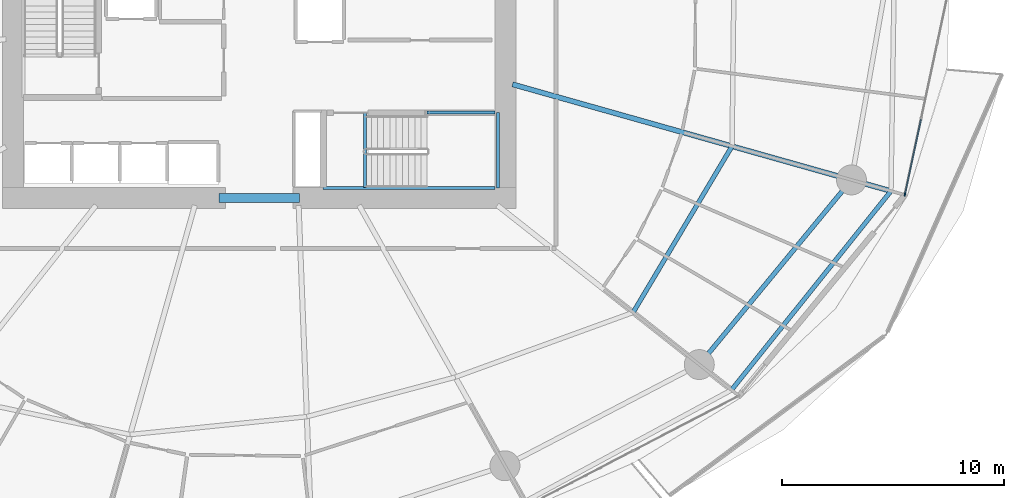
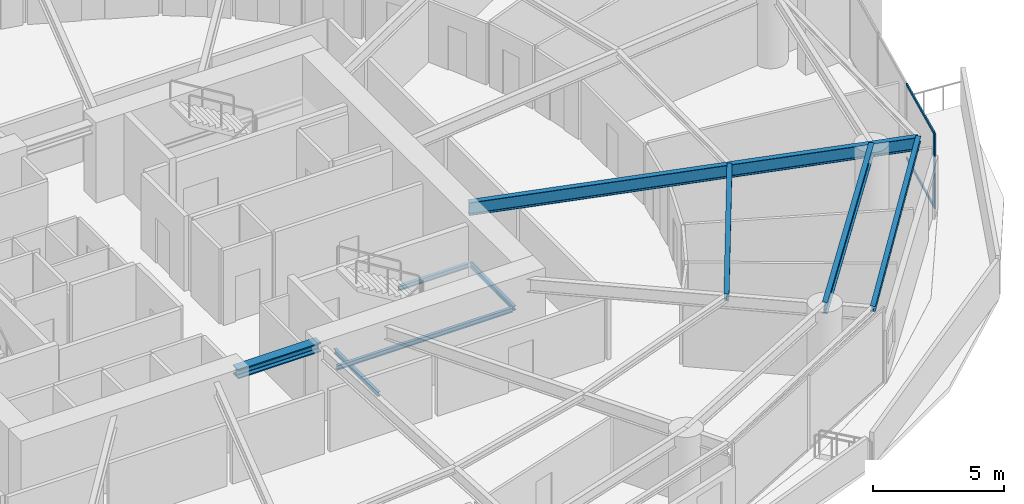
# One storey, part 10 of 31: 9 beams, 3 members, 1 element without a shape of its own.
"""IFC4 building model written with IfcOpenShell, lengths in metres."""

from ifc_helpers import new_model, si_unit, direction, frame, origin, origin_2d, place, context, subcontext, project, spatial, rectangle, i_section, extrude, material, layer, layer_set, material_profile, profile_set, type_object, element, aggregate, save


model = new_model("IFC4")

# Units and contexts
model_context = context("Model", 3, precision=1e-05, world=origin(), true_north=direction((0.0, 1.0)))
body_context = subcontext(model_context, "Body", "Model", "MODEL_VIEW")
ifc_project = project(units=[si_unit("LENGTHUNIT", "METRE"), si_unit("AREAUNIT", "SQUARE_METRE"), si_unit("VOLUMEUNIT", "CUBIC_METRE"), si_unit("PLANEANGLEUNIT", "RADIAN"), si_unit("MASSUNIT", "GRAM", prefix="KILO")], contexts=[model_context])

# Site, building, storey
site_placement = place(None, origin())
site = spatial("IfcSite", under=ifc_project, at=site_placement, CompositionType="ELEMENT")
building_placement = place(site_placement, origin())
building = spatial("IfcBuilding", under=site, at=building_placement, Name="Kazma Halo Residences", CompositionType="ELEMENT")
storey_placement = place(building_placement, frame((0.0, 0.0, 30.14990234375)))
storey = spatial("IfcBuildingStorey", under=building, at=storey_placement, Name="L06", CompositionType="ELEMENT", Elevation=30.14990234375)

# Beams
ifc_material_1 = material(Name="Steel S355", Category="steel")
ifc_material_profile_1 = material_profile(ifc_material_1, i_section(OverallWidth=0.201904296875, OverallDepth=0.2470703125, WebThickness=0.00732421875, FlangeThickness=0.010986328125, FilletRadius=0.011962890625, at=origin_2d()), Name="W250x49.1")
ifc_profile_set_1 = profile_set([ifc_material_profile_1], Name="Steel S355")
beam_type_1 = type_object("IfcBeamType", Name="BM-BAL-CANT", PredefinedType="BEAM", material=ifc_profile_set_1)
beam_1_placement = place(storey_placement, frame((69.728515625, 24.87060546875, 3.376708984375), z_axis=(0.625476617708, 0.780242911343, 0.0), x_axis=(-0.780242911343, 0.625476617708, 0.0)))
element("IfcBeam", 1, at=beam_1_placement, inside=storey, type_object=beam_type_1, Name="L06 wave-balcony tie beam 14", PredefinedType="BEAM", context=body_context, shape_type="SweptSolid", body=[
    extrude(i_section(OverallWidth=0.201904296875, OverallDepth=0.2470703125, WebThickness=0.00732421875, FlangeThickness=0.010986328125, FilletRadius=0.011962890625, at=origin_2d()), origin(), (0.0, 0.0, 1.0), 11.499755859375),
])
ifc_material_profile_2 = material_profile(ifc_material_1, i_section(OverallWidth=0.408935546875, OverallDepth=0.425048828125, WebThickness=0.03271484375, FlangeThickness=0.052490234375, FilletRadius=0.02001953125, at=origin_2d()), Name="W360x421")
ifc_profile_set_2 = profile_set([ifc_material_profile_2], Name="Steel S355")
beam_type_2 = type_object("IfcBeamType", Name="BM-CORE-W360H", PredefinedType="BEAM", material=ifc_profile_set_2)
beam_2_placement = place(storey_placement, frame((46.60009765625, 33.52490234375, 3.28759765625), z_axis=(1.0, 0.0, 0.0), x_axis=(0.0, 1.0, 0.0)))
element("IfcBeam", 2, at=beam_2_placement, inside=storey, type_object=beam_type_2, Name="L06 core coupling beam S", PredefinedType="BEAM", context=body_context, shape_type="SweptSolid", body=[
    extrude(i_section(OverallWidth=0.408935546875, OverallDepth=0.425048828125, WebThickness=0.03271484375, FlangeThickness=0.052490234375, FilletRadius=0.02001953125, at=origin_2d()), origin(), (0.0, 0.0, 1.0), 3.64990234375),
])
ifc_material_profile_3 = material_profile(ifc_material_1, i_section(OverallWidth=0.22802734375, OverallDepth=0.60791015625, WebThickness=0.01123046875, FlangeThickness=0.017333984375, FilletRadius=0.01806640625, at=origin_2d()), Name="W610x113")
ifc_profile_set_3 = profile_set([ifc_material_profile_3], Name="Steel S355")
beam_type_3 = type_object("IfcBeamType", Name="BM-RAD-W610", PredefinedType="BEAM", material=ifc_profile_set_3)
beam_3_placement = place(storey_placement, frame((59.85009765625, 38.657958984375, 3.196044921875), z_axis=(0.962453825278, -0.271445453468, 0.0), x_axis=(0.271445453468, 0.962453825278, 0.0)))
element("IfcBeam", 3, at=beam_3_placement, inside=storey, type_object=beam_type_3, Name="L06 radial floor beam 15", PredefinedType="BEAM", context=body_context, shape_type="SweptSolid", body=[
    extrude(i_section(OverallWidth=0.22802734375, OverallDepth=0.60791015625, WebThickness=0.01123046875, FlangeThickness=0.017333984375, FilletRadius=0.01806640625, at=origin_2d()), origin(), (0.0, 0.0, 1.0), 17.7373046875),
])
ifc_material_profile_4 = material_profile(ifc_material_1, i_section(OverallWidth=0.202880859375, OverallDepth=0.302978515625, WebThickness=0.007568359375, FlangeThickness=0.01318359375, FilletRadius=0.013916015625, at=origin_2d()), Name="W310x60")
ifc_profile_set_4 = profile_set([ifc_material_profile_4], Name="Steel S355")
beam_type_4 = type_object("IfcBeamType", Name="BM-SEC-W310A", PredefinedType="JOIST", material=ifc_profile_set_4)
beam_4_placement = place(storey_placement, frame((65.291015625, 28.368896484375, 3.3486328125), z_axis=(0.511331320511, 0.859383663252, 0.0), x_axis=(-0.859383663252, 0.511331320511, 0.0)))
element("IfcBeam", 4, at=beam_4_placement, inside=storey, type_object=beam_type_4, Name="L06 circumferential floor joist 14", PredefinedType="JOIST", context=body_context, shape_type="SweptSolid", body=[
    extrude(i_section(OverallWidth=0.202880859375, OverallDepth=0.302978515625, WebThickness=0.007568359375, FlangeThickness=0.01318359375, FilletRadius=0.013916015625, at=origin_2d()), origin(), (0.0, 0.0, 1.0), 8.72314453125),
])
ifc_material_profile_5 = material_profile(ifc_material_1, i_section(OverallWidth=0.208984375, OverallDepth=0.532958984375, WebThickness=0.01025390625, FlangeThickness=0.015625, FilletRadius=0.01611328125, at=origin_2d()), Name="W530x92")
ifc_profile_set_5 = profile_set([ifc_material_profile_5], Name="Steel S355")
beam_type_5 = type_object("IfcBeamType", Name="BM-SPN-W530", PredefinedType="BEAM", material=ifc_profile_set_5)
beam_5_placement = place(storey_placement, frame((68.27587890625, 26.015869140625, 3.233642578125), z_axis=(0.636001336663, 0.771687954916, 0.0), x_axis=(-0.771687954916, 0.636001336663, 0.0)))
element("IfcBeam", 5, at=beam_5_placement, inside=storey, type_object=beam_type_5, Name="L06 perimeter ring beam 14", PredefinedType="BEAM", context=body_context, shape_type="SweptSolid", body=[
    extrude(i_section(OverallWidth=0.208984375, OverallDepth=0.532958984375, WebThickness=0.01025390625, FlangeThickness=0.015625, FilletRadius=0.01611328125, at=origin_2d()), origin(), (0.0, 0.0, 1.0), 10.7939453125),
])
ifc_material_profile_6 = material_profile(ifc_material_1, i_section(OverallWidth=0.133056640625, OverallDepth=0.20703125, WebThickness=0.005859375, FlangeThickness=0.00830078125, FilletRadius=0.010009765625, at=origin_2d()), Name="W200x26.6")
ifc_profile_set_6 = profile_set([ifc_material_profile_6], Name="Steel S355")
beam_type_6 = type_object("IfcBeamType", Name="BM-TRIM-W200", PredefinedType="BEAM", material=ifc_profile_set_6)
beam_6_placement = place(storey_placement, frame((53.199951171875, 34.0, -0.35986328125), z_axis=(0.0, 1.0, 0.0), x_axis=(-1.0, 0.0, 0.0)))
element("IfcBeam", 6, at=beam_6_placement, inside=storey, type_object=beam_type_6, Name="L06 ST-03 floor landing support beam", PredefinedType="BEAM", context=body_context, shape_type="SweptSolid", body=[
    extrude(i_section(OverallWidth=0.133056640625, OverallDepth=0.20703125, WebThickness=0.005859375, FlangeThickness=0.00830078125, FilletRadius=0.010009765625, at=origin_2d()), origin(), (0.0, 0.0, 1.0), 3.3798828125),
])
beam_7_placement = place(storey_placement, frame((51.31005859375, 33.97998046875, 1.570068359375), z_axis=(1.0, 0.0, 0.0), x_axis=(0.0, 1.0, 0.0)))
element("IfcBeam", 7, at=beam_7_placement, inside=storey, type_object=beam_type_6, Name="L06 ST-03 landing south wall ledger", PredefinedType="BEAM", context=body_context, shape_type="SweptSolid", body=[
    extrude(i_section(OverallWidth=0.133056640625, OverallDepth=0.20703125, WebThickness=0.005859375, FlangeThickness=0.00830078125, FilletRadius=0.010009765625, at=origin_2d()), origin(), (0.0, 0.0, 1.0), 7.760009765625),
])
beam_8_placement = place(storey_placement, frame((56.0, 37.3798828125, 1.570068359375), z_axis=(1.0, 0.0, 0.0), x_axis=(0.0, 1.0, 0.0)))
element("IfcBeam", 8, at=beam_8_placement, inside=storey, type_object=beam_type_6, Name="L06 ST-03 landing north wall ledger", PredefinedType="BEAM", context=body_context, shape_type="SweptSolid", body=[
    extrude(i_section(OverallWidth=0.133056640625, OverallDepth=0.20703125, WebThickness=0.005859375, FlangeThickness=0.00830078125, FilletRadius=0.010009765625, at=origin_2d()), origin(), (0.0, 0.0, 1.0), 3.070068359375),
])
beam_9_placement = place(storey_placement, frame((59.18994140625, 33.97998046875, 1.570068359375), z_axis=(0.0, 1.0, 0.0), x_axis=(-1.0, 0.0, 0.0)))
element("IfcBeam", 9, at=beam_9_placement, inside=storey, type_object=beam_type_6, Name="L06 ST-03 landing end wall ledger", PredefinedType="BEAM", context=body_context, shape_type="SweptSolid", body=[
    extrude(i_section(OverallWidth=0.133056640625, OverallDepth=0.20703125, WebThickness=0.005859375, FlangeThickness=0.00830078125, FilletRadius=0.010009765625, at=origin_2d()), origin(), (0.0, 0.0, 1.0), 3.39990234375),
])

# Curtain wall, members
ifc_material_2 = material(Name="Aluminium AW-6063 T6 and Triple-Silver Low-E Glass", Category="aluminium")
ifc_layer = layer(ifc_material_2, 0.159912109375)
ifc_layer_set = layer_set([ifc_layer], Name="Aluminium AW-6063 T6 and Triple-Silver Low-E Glass")
curtain_wall_type = type_object("IfcCurtainWallType", Name="CW-SYS-2", PredefinedType="NOTDEFINED", material=ifc_layer_set)
curtain_wall_placement = place(storey_placement, origin())
curtain_wall = element("IfcCurtainWall", 10, at=curtain_wall_placement, inside=storey, type_object=curtain_wall_type, Name="L06 unitised curtain wall B15", PredefinedType="NOTDEFINED")
ifc_material_3 = material(Name="Aluminium AW-6063 T6", Category="aluminium")
ifc_material_profile_7 = material_profile(ifc_material_3, rectangle(XDim=0.06005859375, YDim=0.159912109375, at=origin_2d()), Name="CWM-60x160")
ifc_profile_set_7 = profile_set([ifc_material_profile_7], Name="Aluminium AW-6063 T6")
member_type_1 = type_object("IfcMemberType", Name="CW-SYS-2-MUL", PredefinedType="MULLION", material=ifc_profile_set_7)
member_1_placement = place(storey_placement, frame((77.552978515625, 33.6962890625, 0.0), z_axis=(0.0, 0.0, 1.0), x_axis=(-0.977779215096, 0.209637321406, 0.0)))
member_1 = element("IfcMember", 11, at=member_1_placement, type_object=member_type_1, Name="CWS-2 mullion 1", PredefinedType="MULLION", context=body_context, shape_type="SweptSolid", body=[
    extrude(rectangle(XDim=0.06005859375, YDim=0.159912109375, at=origin_2d()), origin(), (0.0, 0.0, 1.0), 3.5),
])
ifc_material_profile_8 = material_profile(ifc_material_3, rectangle(XDim=0.06005859375, YDim=0.1201171875, at=origin_2d()), Name="CWT-60x120")
ifc_profile_set_8 = profile_set([ifc_material_profile_8], Name="Aluminium AW-6063 T6")
member_type_2 = type_object("IfcMemberType", Name="CW-SYS-2-TRN", PredefinedType="USERDEFINED", material=ifc_profile_set_8)
member_2_placement = place(storey_placement, frame((77.559326171875, 33.7255859375, 0.030029296875), z_axis=(0.209650877007, 0.977776308657, 0.0), x_axis=(-0.977776308657, 0.209650877007, 0.0)))
member_2 = element("IfcMember", 12, at=member_2_placement, type_object=member_type_2, Name="CWS-2 transom 1.1", ObjectType="TRANSOM", PredefinedType="USERDEFINED", context=body_context, shape_type="SweptSolid", body=[
    extrude(rectangle(XDim=0.06005859375, YDim=0.1201171875, at=origin_2d()), origin(), (0.0, 0.0, 1.0), 3.422607421875),
])
member_3_placement = place(storey_placement, frame((77.559326171875, 33.7255859375, 3.47021484375), z_axis=(0.209650877007, 0.977776308657, 0.0), x_axis=(-0.977776308657, 0.209650877007, 0.0)))
member_3 = element("IfcMember", 13, at=member_3_placement, type_object=member_type_2, Name="CWS-2 transom 1.2", ObjectType="TRANSOM", PredefinedType="USERDEFINED", context=body_context, shape_type="SweptSolid", body=[
    extrude(rectangle(XDim=0.06005859375, YDim=0.1201171875, at=origin_2d()), origin(), (0.0, 0.0, 1.0), 3.422607421875),
])
aggregate(curtain_wall, [member_1, member_2, member_3])

save(model, "model.ifc")
